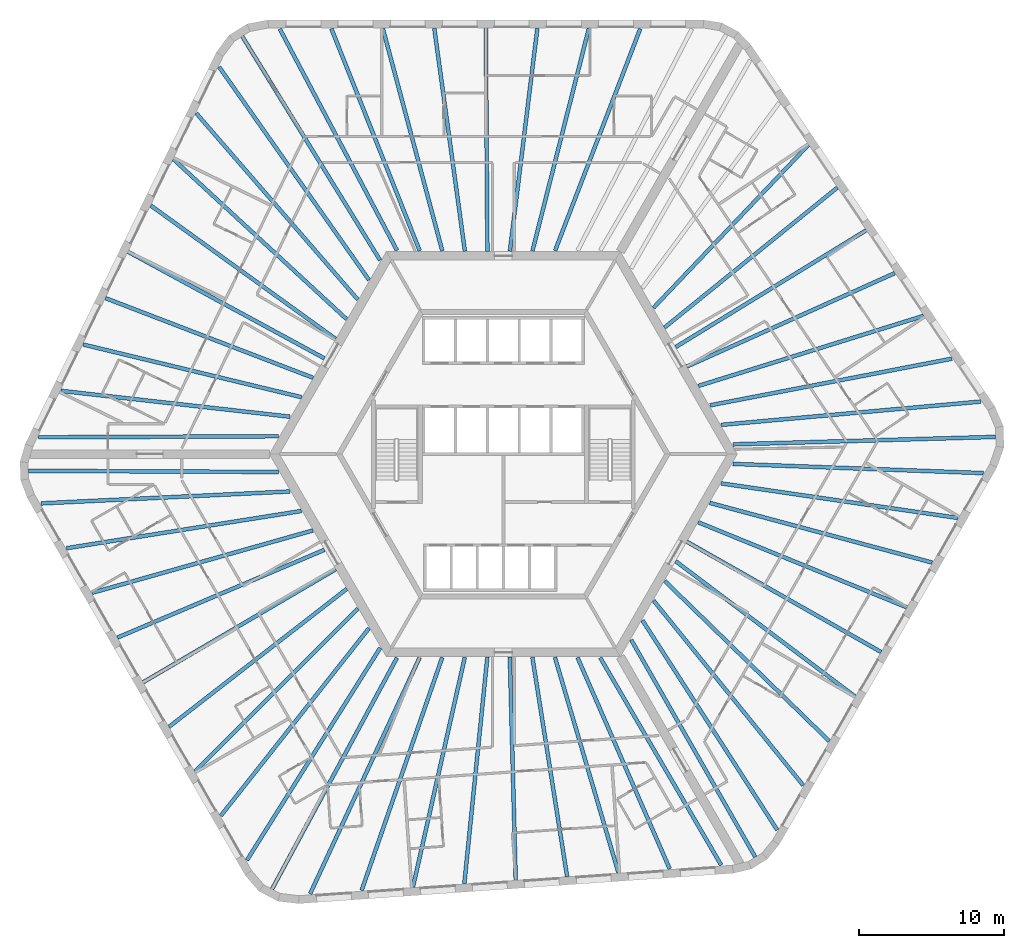
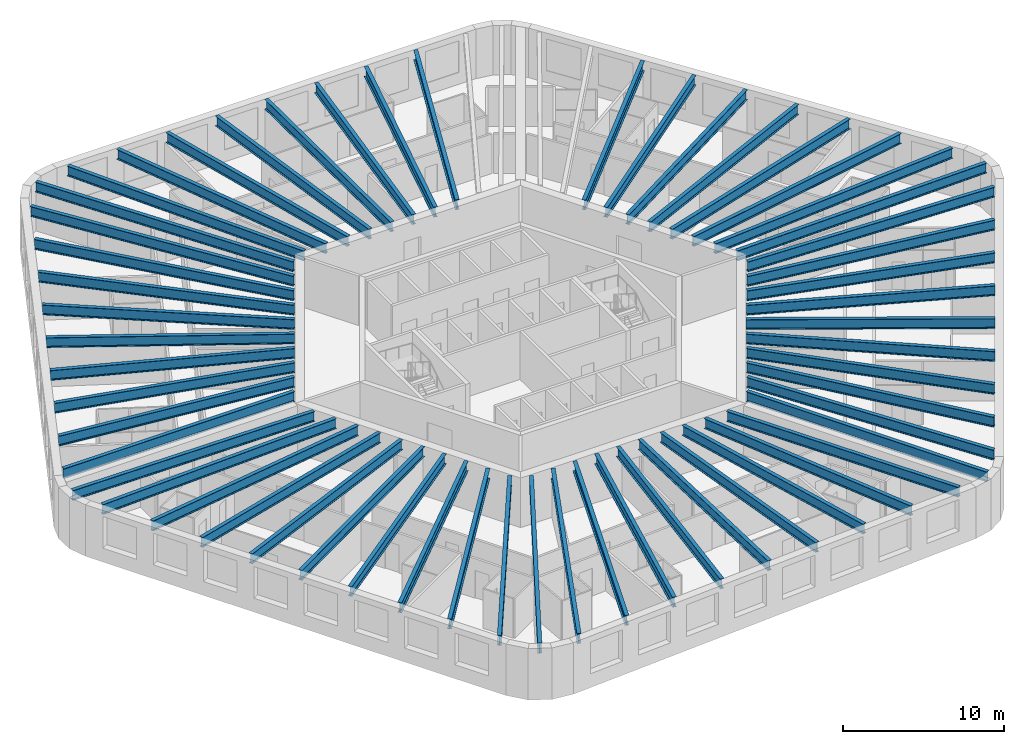
# One storey, part 1 of 12: 56 beams.
"""IFC4 building model written with IfcOpenShell, lengths in metres."""

from ifc_helpers import new_model, si_unit, direction, frame, origin, origin_2d, place, context, subcontext, project, spatial, i_section, extrude, material, material_profile, profile_set, type_object, element, save


model = new_model("IFC4")

# Units and contexts
model_context = context("Model", 3, precision=1e-05, world=origin(), true_north=direction((0.0, 1.0)))
body_context = subcontext(model_context, "Body", "Model", "MODEL_VIEW")
ifc_project = project(units=[si_unit("LENGTHUNIT", "METRE"), si_unit("AREAUNIT", "SQUARE_METRE"), si_unit("VOLUMEUNIT", "CUBIC_METRE"), si_unit("PLANEANGLEUNIT", "RADIAN"), si_unit("MASSUNIT", "GRAM", prefix="KILO")], contexts=[model_context])

# Site, building, storey
site_placement = place(None, origin())
site = spatial("IfcSite", under=ifc_project, at=site_placement, CompositionType="ELEMENT")
building_placement = place(site_placement, origin())
building = spatial("IfcBuilding", under=site, at=building_placement, Name="Tarnside Tower", CompositionType="ELEMENT")
storey_placement = place(building_placement, frame((0.0, 0.0, 127.199951171875)))
storey = spatial("IfcBuildingStorey", under=building, at=storey_placement, Name="L29", CompositionType="ELEMENT", Elevation=127.199951171875)

# Beams
ifc_material = material(Name="Steel S355", Category="steel")
ifc_material_profile_1 = material_profile(ifc_material, i_section(OverallWidth=0.26513671875, OverallDepth=0.75390625, WebThickness=0.0126953125, FlangeThickness=0.017578125, FilletRadius=0.0166015625, at=origin_2d()), Name="UB 762x267x147")
ifc_profile_set_1 = profile_set([ifc_material_profile_1], Name="Steel S355")
beam_type_1 = type_object("IfcBeamType", Name="Floor beam UB 762x267x147", PredefinedType="BEAM", material=ifc_profile_set_1)
beam_1_placement = place(storey_placement, frame((2.3525390625, 29.43017578125, 3.373046875), z_axis=(-0.122329629165, -0.992489527314, 0.0), x_axis=(0.992489527314, -0.122329629165, 0.0)))
element("IfcBeam", 1, at=beam_1_placement, inside=storey, type_object=beam_type_1, Name="Floor beam F1.04", PredefinedType="BEAM", context=body_context, shape_type="SweptSolid", body=[
    extrude(i_section(OverallWidth=0.26513671875, OverallDepth=0.75390625, WebThickness=0.0126953125, FlangeThickness=0.017578125, FilletRadius=0.0166015625, at=origin_2d()), origin(), (0.0, 0.0, 1.0), 15.527099609375),
])
beam_2_placement = place(storey_placement, frame((-1.208984375, 29.449951171875, 3.373046875), z_axis=(0.007000128723, -0.999975498799, 0.0), x_axis=(0.999975498799, 0.007000128723, 0.0)))
element("IfcBeam", 2, at=beam_2_placement, inside=storey, type_object=beam_type_1, Name="Floor beam F1.05", PredefinedType="BEAM", context=body_context, shape_type="SweptSolid", body=[
    extrude(i_section(OverallWidth=0.26513671875, OverallDepth=0.75390625, WebThickness=0.0126953125, FlangeThickness=0.017578125, FilletRadius=0.0166015625, at=origin_2d()), origin(), (0.0, 0.0, 1.0), 15.450439453125),
])
beam_3_placement = place(storey_placement, frame((-4.7705078125, 29.43017578125, 3.373046875), z_axis=(0.136000560933, -0.990708760144, 0.0), x_axis=(0.990708760144, 0.136000560933, 0.0)))
element("IfcBeam", 3, at=beam_3_placement, inside=storey, type_object=beam_type_1, Name="Floor beam F1.06", PredefinedType="BEAM", context=body_context, shape_type="SweptSolid", body=[
    extrude(i_section(OverallWidth=0.26513671875, OverallDepth=0.75390625, WebThickness=0.0126953125, FlangeThickness=0.017578125, FilletRadius=0.0166015625, at=origin_2d()), origin(), (0.0, 0.0, 1.0), 15.554931640625),
])
beam_4_placement = place(storey_placement, frame((-24.348876953125, 17.168212890625, 3.373046875), z_axis=(0.811027744825, -0.585007689799, 0.0), x_axis=(0.585007689799, 0.811027744825, 0.0)))
element("IfcBeam", 4, at=beam_4_placement, inside=storey, type_object=beam_type_1, Name="Floor beam F2.04", PredefinedType="BEAM", context=body_context, shape_type="SweptSolid", body=[
    extrude(i_section(OverallWidth=0.26513671875, OverallDepth=0.75390625, WebThickness=0.0126953125, FlangeThickness=0.017578125, FilletRadius=0.0166015625, at=origin_2d()), origin(), (0.0, 0.0, 1.0), 15.731689453125),
])
beam_5_placement = place(storey_placement, frame((-25.92626953125, 13.978271484375, 3.373046875), z_axis=(0.878894567679, -0.477016078245, 0.0), x_axis=(0.477016078245, 0.878894567679, 0.0)))
element("IfcBeam", 5, at=beam_5_placement, inside=storey, type_object=beam_type_1, Name="Floor beam F2.05", PredefinedType="BEAM", context=body_context, shape_type="SweptSolid", body=[
    extrude(i_section(OverallWidth=0.26513671875, OverallDepth=0.75390625, WebThickness=0.0126953125, FlangeThickness=0.017578125, FilletRadius=0.0166015625, at=origin_2d()), origin(), (0.0, 0.0, 1.0), 15.427490234375),
])
beam_6_placement = place(storey_placement, frame((-27.487548828125, 10.77734375, 3.373046875), z_axis=(0.933617702452, -0.358270827264, 0.0), x_axis=(0.358270827264, 0.933617702452, 0.0)))
element("IfcBeam", 6, at=beam_6_placement, inside=storey, type_object=beam_type_1, Name="Floor beam F2.06", PredefinedType="BEAM", context=body_context, shape_type="SweptSolid", body=[
    extrude(i_section(OverallWidth=0.26513671875, OverallDepth=0.75390625, WebThickness=0.0126953125, FlangeThickness=0.017578125, FilletRadius=0.0166015625, at=origin_2d()), origin(), (0.0, 0.0, 1.0), 15.363037109375),
])
beam_7_placement = place(storey_placement, frame((-29.029296875, 7.572509765625, 3.373046875), z_axis=(0.972101750991, -0.234559556873, 0.0), x_axis=(0.234559556873, 0.972101750991, 0.0)))
element("IfcBeam", 7, at=beam_7_placement, inside=storey, type_object=beam_type_1, Name="Floor beam F2.07", PredefinedType="BEAM", context=body_context, shape_type="SweptSolid", body=[
    extrude(i_section(OverallWidth=0.26513671875, OverallDepth=0.75390625, WebThickness=0.0126953125, FlangeThickness=0.017578125, FilletRadius=0.0166015625, at=origin_2d()), origin(), (0.0, 0.0, 1.0), 15.522216796875),
])
beam_8_placement = place(storey_placement, frame((-26.66357421875, -12.677734375, 3.373046875), z_axis=(0.920684021494, 0.390308765679, 0.0), x_axis=(-0.390308765679, 0.920684021494, 0.0)))
element("IfcBeam", 8, at=beam_8_placement, inside=storey, type_object=beam_type_1, Name="Floor beam F3.04", PredefinedType="BEAM", context=body_context, shape_type="SweptSolid", body=[
    extrude(i_section(OverallWidth=0.26513671875, OverallDepth=0.75390625, WebThickness=0.0126953125, FlangeThickness=0.017578125, FilletRadius=0.0166015625, at=origin_2d()), origin(), (0.0, 0.0, 1.0), 15.52685546875),
])
beam_9_placement = place(storey_placement, frame((-24.89990234375, -15.772216796875, 3.373046875), z_axis=(0.862497502004, 0.506061319443, 0.0), x_axis=(-0.506061319443, 0.862497502004, 0.0)))
element("IfcBeam", 9, at=beam_9_placement, inside=storey, type_object=beam_type_1, Name="Floor beam F3.05", PredefinedType="BEAM", context=body_context, shape_type="SweptSolid", body=[
    extrude(i_section(OverallWidth=0.26513671875, OverallDepth=0.75390625, WebThickness=0.0126953125, FlangeThickness=0.017578125, FilletRadius=0.0166015625, at=origin_2d()), origin(), (0.0, 0.0, 1.0), 15.450439453125),
])
beam_10_placement = place(storey_placement, frame((-23.10205078125, -18.846435546875, 3.373046875), z_axis=(0.789983963813, 0.613127504617, 0.0), x_axis=(-0.613127504617, 0.789983963813, 0.0)))
element("IfcBeam", 10, at=beam_10_placement, inside=storey, type_object=beam_type_1, Name="Floor beam F3.06", PredefinedType="BEAM", context=body_context, shape_type="SweptSolid", body=[
    extrude(i_section(OverallWidth=0.26513671875, OverallDepth=0.75390625, WebThickness=0.0126953125, FlangeThickness=0.017578125, FilletRadius=0.0166015625, at=origin_2d()), origin(), (0.0, 0.0, 1.0), 15.554931640625),
])
beam_11_placement = place(storey_placement, frame((-2.693603515625, -29.6708984375, 3.373046875), z_axis=(0.101123115756, 0.994873919379, 0.0), x_axis=(-0.994873919379, 0.101123115756, 0.0)))
element("IfcBeam", 11, at=beam_11_placement, inside=storey, type_object=beam_type_1, Name="Floor beam F4.04", PredefinedType="BEAM", context=body_context, shape_type="SweptSolid", body=[
    extrude(i_section(OverallWidth=0.26513671875, OverallDepth=0.75390625, WebThickness=0.0126953125, FlangeThickness=0.017578125, FilletRadius=0.0166015625, at=origin_2d()), origin(), (0.0, 0.0, 1.0), 15.7314453125),
])
beam_12_placement = place(storey_placement, frame((0.857666015625, -29.44189453125, 3.373046875), z_axis=(-0.026333316788, 0.999653218085, 0.0), x_axis=(-0.999653218085, -0.026333316788, 0.0)))
element("IfcBeam", 12, at=beam_12_placement, inside=storey, type_object=beam_type_1, Name="Floor beam F4.05", PredefinedType="BEAM", context=body_context, shape_type="SweptSolid", body=[
    extrude(i_section(OverallWidth=0.26513671875, OverallDepth=0.75390625, WebThickness=0.0126953125, FlangeThickness=0.017578125, FilletRadius=0.0166015625, at=origin_2d()), origin(), (0.0, 0.0, 1.0), 15.42724609375),
])
beam_13_placement = place(storey_placement, frame((4.41015625, -29.193603515625, 3.373046875), z_axis=(-0.156513375907, 0.98767583911, 0.0), x_axis=(-0.98767583911, -0.156513375907, 0.0)))
element("IfcBeam", 13, at=beam_13_placement, inside=storey, type_object=beam_type_1, Name="Floor beam F4.06", PredefinedType="BEAM", context=body_context, shape_type="SweptSolid", body=[
    extrude(i_section(OverallWidth=0.26513671875, OverallDepth=0.75390625, WebThickness=0.0126953125, FlangeThickness=0.017578125, FilletRadius=0.0166015625, at=origin_2d()), origin(), (0.0, 0.0, 1.0), 15.36328125),
])
beam_14_placement = place(storey_placement, frame((7.956787109375, -28.926513671875, 3.373046875), z_axis=(-0.282920694328, 0.959143305623, 0.0), x_axis=(-0.959143305623, -0.282920694328, 0.0)))
element("IfcBeam", 14, at=beam_14_placement, inside=storey, type_object=beam_type_1, Name="Floor beam F4.07", PredefinedType="BEAM", context=body_context, shape_type="SweptSolid", body=[
    extrude(i_section(OverallWidth=0.26513671875, OverallDepth=0.75390625, WebThickness=0.0126953125, FlangeThickness=0.017578125, FilletRadius=0.0166015625, at=origin_2d()), origin(), (0.0, 0.0, 1.0), 15.5224609375),
])
beam_15_placement = place(storey_placement, frame((24.31103515625, -16.75244140625, 3.373046875), z_axis=(-0.798361152727, 0.602178935049, 0.0), x_axis=(-0.602178935049, -0.798361152727, 0.0)))
element("IfcBeam", 15, at=beam_15_placement, inside=storey, type_object=beam_type_1, Name="Floor beam F5.04", PredefinedType="BEAM", context=body_context, shape_type="SweptSolid", body=[
    extrude(i_section(OverallWidth=0.26513671875, OverallDepth=0.75390625, WebThickness=0.0126953125, FlangeThickness=0.017578125, FilletRadius=0.0166015625, at=origin_2d()), origin(), (0.0, 0.0, 1.0), 15.527099609375),
])
beam_16_placement = place(storey_placement, frame((26.10888671875, -13.677978515625, 3.373046875), z_axis=(-0.869502520992, 0.493928502911, 0.0), x_axis=(-0.493928502911, -0.869502520992, 0.0)))
element("IfcBeam", 16, at=beam_16_placement, inside=storey, type_object=beam_type_1, Name="Floor beam F5.05", PredefinedType="BEAM", context=body_context, shape_type="SweptSolid", body=[
    extrude(i_section(OverallWidth=0.26513671875, OverallDepth=0.75390625, WebThickness=0.0126953125, FlangeThickness=0.017578125, FilletRadius=0.0166015625, at=origin_2d()), origin(), (0.0, 0.0, 1.0), 15.4501953125),
])
beam_17_placement = place(storey_placement, frame((27.87255859375, -10.58349609375, 3.373046875), z_axis=(-0.925981621163, 0.377568586177, 0.0), x_axis=(-0.377568586177, -0.925981621163, 0.0)))
element("IfcBeam", 17, at=beam_17_placement, inside=storey, type_object=beam_type_1, Name="Floor beam F5.06", PredefinedType="BEAM", context=body_context, shape_type="SweptSolid", body=[
    extrude(i_section(OverallWidth=0.26513671875, OverallDepth=0.75390625, WebThickness=0.0126953125, FlangeThickness=0.017578125, FilletRadius=0.0166015625, at=origin_2d()), origin(), (0.0, 0.0, 1.0), 15.554931640625),
])
beam_18_placement = place(storey_placement, frame((27.04248046875, 12.502685546875, 3.373046875), z_axis=(-0.912146413919, -0.409864513681, 0.0), x_axis=(0.409864513681, -0.912146413919, 0.0)))
element("IfcBeam", 18, at=beam_18_placement, inside=storey, type_object=beam_type_1, Name="Floor beam F6.04", PredefinedType="BEAM", context=body_context, shape_type="SweptSolid", body=[
    extrude(i_section(OverallWidth=0.26513671875, OverallDepth=0.75390625, WebThickness=0.0126953125, FlangeThickness=0.017578125, FilletRadius=0.0166015625, at=origin_2d()), origin(), (0.0, 0.0, 1.0), 15.7314453125),
])
beam_19_placement = place(storey_placement, frame((25.068603515625, 15.463623046875, 3.373046875), z_axis=(-0.852558490017, -0.522631821744, 0.0), x_axis=(0.522631821744, -0.852558490017, 0.0)))
element("IfcBeam", 19, at=beam_19_placement, inside=storey, type_object=beam_type_1, Name="Floor beam F6.05", PredefinedType="BEAM", context=body_context, shape_type="SweptSolid", body=[
    extrude(i_section(OverallWidth=0.26513671875, OverallDepth=0.75390625, WebThickness=0.0126953125, FlangeThickness=0.017578125, FilletRadius=0.0166015625, at=origin_2d()), origin(), (0.0, 0.0, 1.0), 15.42724609375),
])
beam_20_placement = place(storey_placement, frame((23.0771484375, 18.416259765625, 3.373046875), z_axis=(-0.777079423039, -0.629402550272, 0.0), x_axis=(0.629402550272, -0.777079423039, 0.0)))
element("IfcBeam", 20, at=beam_20_placement, inside=storey, type_object=beam_type_1, Name="Floor beam F6.06", PredefinedType="BEAM", context=body_context, shape_type="SweptSolid", body=[
    extrude(i_section(OverallWidth=0.26513671875, OverallDepth=0.75390625, WebThickness=0.0126953125, FlangeThickness=0.017578125, FilletRadius=0.0166015625, at=origin_2d()), origin(), (0.0, 0.0, 1.0), 15.36328125),
])
beam_21_placement = place(storey_placement, frame((21.072509765625, 21.35400390625, 3.373046875), z_axis=(-0.689174694318, -0.724595225427, 0.0), x_axis=(0.724595225427, -0.689174694318, 0.0)))
element("IfcBeam", 21, at=beam_21_placement, inside=storey, type_object=beam_type_1, Name="Floor beam F6.07", PredefinedType="BEAM", context=body_context, shape_type="SweptSolid", body=[
    extrude(i_section(OverallWidth=0.26513671875, OverallDepth=0.75390625, WebThickness=0.0126953125, FlangeThickness=0.017578125, FilletRadius=0.0166015625, at=origin_2d()), origin(), (0.0, 0.0, 1.0), 15.522216796875),
])
ifc_material_profile_2 = material_profile(ifc_material, i_section(OverallWidth=0.2666015625, OverallDepth=0.76220703125, WebThickness=0.014404296875, FlangeThickness=0.021484375, FilletRadius=0.0166015625, at=origin_2d()), Name="UB 762x267x173")
ifc_profile_set_2 = profile_set([ifc_material_profile_2], Name="Steel S355")
beam_type_2 = type_object("IfcBeamType", Name="Floor beam UB 762x267x173", PredefinedType="BEAM", material=ifc_profile_set_2)
beam_22_placement = place(storey_placement, frame((9.4619140625, 29.39404296875, 3.368896484375), z_axis=(-0.358299847269, -0.933606565662, 0.0), x_axis=(0.933606565662, -0.358299847269, 0.0)))
element("IfcBeam", 22, at=beam_22_placement, inside=storey, type_object=beam_type_2, Name="Floor beam F1.02", PredefinedType="BEAM", context=body_context, shape_type="SweptSolid", body=[
    extrude(i_section(OverallWidth=0.2666015625, OverallDepth=0.76220703125, WebThickness=0.014404296875, FlangeThickness=0.021484375, FilletRadius=0.0166015625, at=origin_2d()), origin(), (0.0, 0.0, 1.0), 16.428955078125),
])
beam_23_placement = place(storey_placement, frame((5.909423828125, 29.4111328125, 3.368896484375), z_axis=(-0.245747281389, -0.969333933013, 0.0), x_axis=(0.969333933013, -0.245747281389, 0.0)))
element("IfcBeam", 23, at=beam_23_placement, inside=storey, type_object=beam_type_2, Name="Floor beam F1.03", PredefinedType="BEAM", context=body_context, shape_type="SweptSolid", body=[
    extrude(i_section(OverallWidth=0.2666015625, OverallDepth=0.76220703125, WebThickness=0.014404296875, FlangeThickness=0.021484375, FilletRadius=0.0166015625, at=origin_2d()), origin(), (0.0, 0.0, 1.0), 15.858642578125),
])
beam_24_placement = place(storey_placement, frame((-8.3271484375, 29.411376953125, 3.368896484375), z_axis=(0.258447478572, -0.966025310652, 0.0), x_axis=(0.966025310652, 0.258447478572, 0.0)))
element("IfcBeam", 24, at=beam_24_placement, inside=storey, type_object=beam_type_2, Name="Floor beam F1.07", PredefinedType="BEAM", context=body_context, shape_type="SweptSolid", body=[
    extrude(i_section(OverallWidth=0.2666015625, OverallDepth=0.76220703125, WebThickness=0.014404296875, FlangeThickness=0.021484375, FilletRadius=0.0166015625, at=origin_2d()), origin(), (0.0, 0.0, 1.0), 15.91357421875),
])
beam_25_placement = place(storey_placement, frame((-11.87939453125, 29.394287109375, 3.368896484375), z_axis=(0.369638204477, -0.929175762593, 0.0), x_axis=(0.929175762593, 0.369638204477, 0.0)))
element("IfcBeam", 25, at=beam_25_placement, inside=storey, type_object=beam_type_2, Name="Floor beam F1.08", PredefinedType="BEAM", context=body_context, shape_type="SweptSolid", body=[
    extrude(i_section(OverallWidth=0.2666015625, OverallDepth=0.76220703125, WebThickness=0.014404296875, FlangeThickness=0.021484375, FilletRadius=0.0166015625, at=origin_2d()), origin(), (0.0, 0.0, 1.0), 16.507568359375),
])
beam_26_placement = place(storey_placement, frame((-15.44580078125, 29.37939453125, 3.368896484375), z_axis=(0.467741993634, -0.883865050441, 0.0), x_axis=(0.883865050441, 0.467741993634, 0.0)))
element("IfcBeam", 26, at=beam_26_placement, inside=storey, type_object=beam_type_2, Name="Floor beam F1.09", PredefinedType="BEAM", context=body_context, shape_type="SweptSolid", body=[
    extrude(i_section(OverallWidth=0.2666015625, OverallDepth=0.76220703125, WebThickness=0.014404296875, FlangeThickness=0.021484375, FilletRadius=0.0166015625, at=origin_2d()), origin(), (0.0, 0.0, 1.0), 17.320068359375),
])
beam_27_placement = place(storey_placement, frame((-18.042236328125, 28.8701171875, 3.368896484375), z_axis=(0.524382977035, -0.851482526771, 0.0), x_axis=(0.851482526771, 0.524382977035, 0.0)))
element("IfcBeam", 27, at=beam_27_placement, inside=storey, type_object=beam_type_2, Name="Floor beam C1", PredefinedType="BEAM", context=body_context, shape_type="SweptSolid", body=[
    extrude(i_section(OverallWidth=0.2666015625, OverallDepth=0.76220703125, WebThickness=0.014404296875, FlangeThickness=0.021484375, FilletRadius=0.0166015625, at=origin_2d()), origin(), (0.0, 0.0, 1.0), 18.1728515625),
])
beam_28_placement = place(storey_placement, frame((-19.638671875, 26.75537109375, 3.368896484375), z_axis=(0.575411427849, -0.817864101609, 0.0), x_axis=(0.817864101609, 0.575411427849, 0.0)))
element("IfcBeam", 28, at=beam_28_placement, inside=storey, type_object=beam_type_2, Name="Floor beam F2.01", PredefinedType="BEAM", context=body_context, shape_type="SweptSolid", body=[
    extrude(i_section(OverallWidth=0.2666015625, OverallDepth=0.76220703125, WebThickness=0.014404296875, FlangeThickness=0.021484375, FilletRadius=0.0166015625, at=origin_2d()), origin(), (0.0, 0.0, 1.0), 18.00048828125),
])
beam_29_placement = place(storey_placement, frame((-21.21630859375, 23.554931640625, 3.368896484375), z_axis=(0.654980748073, -0.755645564834, 0.0), x_axis=(0.755645564834, 0.654980748073, 0.0)))
element("IfcBeam", 29, at=beam_29_placement, inside=storey, type_object=beam_type_2, Name="Floor beam F2.02", PredefinedType="BEAM", context=body_context, shape_type="SweptSolid", body=[
    extrude(i_section(OverallWidth=0.2666015625, OverallDepth=0.76220703125, WebThickness=0.014404296875, FlangeThickness=0.021484375, FilletRadius=0.0166015625, at=origin_2d()), origin(), (0.0, 0.0, 1.0), 17.0302734375),
])
beam_30_placement = place(storey_placement, frame((-22.7890625, 20.368408203125, 3.368896484375), z_axis=(0.734715474517, -0.678375391288, 0.0), x_axis=(0.678375391288, 0.734715474517, 0.0)))
element("IfcBeam", 30, at=beam_30_placement, inside=storey, type_object=beam_type_2, Name="Floor beam F2.03", PredefinedType="BEAM", context=body_context, shape_type="SweptSolid", body=[
    extrude(i_section(OverallWidth=0.2666015625, OverallDepth=0.76220703125, WebThickness=0.014404296875, FlangeThickness=0.021484375, FilletRadius=0.0166015625, at=origin_2d()), origin(), (0.0, 0.0, 1.0), 16.2802734375),
])
beam_31_placement = place(storey_placement, frame((-30.570556640625, 4.372802734375, 3.368896484375), z_axis=(0.993687302776, -0.112185312326, 0.0), x_axis=(0.112185312326, 0.993687302776, 0.0)))
element("IfcBeam", 31, at=beam_31_placement, inside=storey, type_object=beam_type_2, Name="Floor beam F2.08", PredefinedType="BEAM", context=body_context, shape_type="SweptSolid", body=[
    extrude(i_section(OverallWidth=0.2666015625, OverallDepth=0.76220703125, WebThickness=0.014404296875, FlangeThickness=0.021484375, FilletRadius=0.0166015625, at=origin_2d()), origin(), (0.0, 0.0, 1.0), 15.934326171875),
])
beam_32_placement = place(storey_placement, frame((-32.119384765625, 1.162109375, 3.368896484375), z_axis=(0.999990508787, 0.004356872304, 0.0), x_axis=(-0.004356872304, 0.999990508787, 0.0)))
element("IfcBeam", 32, at=beam_32_placement, inside=storey, type_object=beam_type_2, Name="Floor beam F2.09", PredefinedType="BEAM", context=body_context, shape_type="SweptSolid", body=[
    extrude(i_section(OverallWidth=0.2666015625, OverallDepth=0.76220703125, WebThickness=0.014404296875, FlangeThickness=0.021484375, FilletRadius=0.0166015625, at=origin_2d()), origin(), (0.0, 0.0, 1.0), 16.586669921875),
])
beam_33_placement = place(storey_placement, frame((-32.80712890625, -1.1572265625, 3.368896484375), z_axis=(0.999990027056, -0.004466070929, 0.0), x_axis=(0.004466070929, 0.999990027056, 0.0)))
element("IfcBeam", 33, at=beam_33_placement, inside=storey, type_object=beam_type_2, Name="Floor beam C2", PredefinedType="BEAM", context=body_context, shape_type="SweptSolid", body=[
    extrude(i_section(OverallWidth=0.2666015625, OverallDepth=0.76220703125, WebThickness=0.014404296875, FlangeThickness=0.021484375, FilletRadius=0.0166015625, at=origin_2d()), origin(), (0.0, 0.0, 1.0), 17.2744140625),
])
beam_34_placement = place(storey_placement, frame((-31.95703125, -3.406494140625, 3.368896484375), z_axis=(0.998853818522, 0.047864905982, 0.0), x_axis=(-0.047864905982, 0.998853818522, 0.0)))
element("IfcBeam", 34, at=beam_34_placement, inside=storey, type_object=beam_type_2, Name="Floor beam F3.01", PredefinedType="BEAM", context=body_context, shape_type="SweptSolid", body=[
    extrude(i_section(OverallWidth=0.2666015625, OverallDepth=0.76220703125, WebThickness=0.014404296875, FlangeThickness=0.021484375, FilletRadius=0.0166015625, at=origin_2d()), origin(), (0.0, 0.0, 1.0), 17.2197265625),
])
beam_35_placement = place(storey_placement, frame((-30.18701171875, -6.502685546875, 3.368896484375), z_axis=(0.987678477078, 0.156496728136, 0.0), x_axis=(-0.156496728136, 0.987678477078, 0.0)))
element("IfcBeam", 35, at=beam_35_placement, inside=storey, type_object=beam_type_2, Name="Floor beam F3.02", PredefinedType="BEAM", context=body_context, shape_type="SweptSolid", body=[
    extrude(i_section(OverallWidth=0.2666015625, OverallDepth=0.76220703125, WebThickness=0.014404296875, FlangeThickness=0.021484375, FilletRadius=0.0166015625, at=origin_2d()), origin(), (0.0, 0.0, 1.0), 16.4287109375),
])
beam_36_placement = place(storey_placement, frame((-28.425537109375, -9.587890625, 3.368896484375), z_axis=(0.962342240503, 0.271840784547, 0.0), x_axis=(-0.271840784547, 0.962342240503, 0.0)))
element("IfcBeam", 36, at=beam_36_placement, inside=storey, type_object=beam_type_2, Name="Floor beam F3.03", PredefinedType="BEAM", context=body_context, shape_type="SweptSolid", body=[
    extrude(i_section(OverallWidth=0.2666015625, OverallDepth=0.76220703125, WebThickness=0.014404296875, FlangeThickness=0.021484375, FilletRadius=0.0166015625, at=origin_2d()), origin(), (0.0, 0.0, 1.0), 15.858642578125),
])
beam_37_placement = place(storey_placement, frame((-21.307373046875, -21.917236328125, 3.368896484375), z_axis=(0.707367544857, 0.706845921318, 0.0), x_axis=(-0.706845921318, 0.707367544857, 0.0)))
element("IfcBeam", 37, at=beam_37_placement, inside=storey, type_object=beam_type_2, Name="Floor beam F3.07", PredefinedType="BEAM", context=body_context, shape_type="SweptSolid", body=[
    extrude(i_section(OverallWidth=0.2666015625, OverallDepth=0.76220703125, WebThickness=0.014404296875, FlangeThickness=0.021484375, FilletRadius=0.0166015625, at=origin_2d()), origin(), (0.0, 0.0, 1.0), 15.913330078125),
])
beam_38_placement = place(storey_placement, frame((-19.516357421875, -24.985107421875, 3.368896484375), z_axis=(0.619872995007, 0.784702153725, 0.0), x_axis=(-0.784702153725, 0.619872995007, 0.0)))
element("IfcBeam", 38, at=beam_38_placement, inside=storey, type_object=beam_type_2, Name="Floor beam F3.08", PredefinedType="BEAM", context=body_context, shape_type="SweptSolid", body=[
    extrude(i_section(OverallWidth=0.2666015625, OverallDepth=0.76220703125, WebThickness=0.014404296875, FlangeThickness=0.021484375, FilletRadius=0.0166015625, at=origin_2d()), origin(), (0.0, 0.0, 1.0), 16.507568359375),
])
beam_39_placement = place(storey_placement, frame((-17.72021484375, -28.066162109375, 3.368896484375), z_axis=(0.531583085704, 0.847006152866, 0.0), x_axis=(-0.847006152866, 0.531583085704, 0.0)))
element("IfcBeam", 39, at=beam_39_placement, inside=storey, type_object=beam_type_2, Name="Floor beam F3.09", PredefinedType="BEAM", context=body_context, shape_type="SweptSolid", body=[
    extrude(i_section(OverallWidth=0.2666015625, OverallDepth=0.76220703125, WebThickness=0.014404296875, FlangeThickness=0.021484375, FilletRadius=0.0166015625, at=origin_2d()), origin(), (0.0, 0.0, 1.0), 17.320068359375),
])
beam_40_placement = place(storey_placement, frame((-15.981201171875, -30.060302734375, 3.368896484375), z_axis=(0.475208200571, 0.879873380726, 0.0), x_axis=(-0.879873380726, 0.475208200571, 0.0)))
element("IfcBeam", 40, at=beam_40_placement, inside=storey, type_object=beam_type_2, Name="Floor beam C3", PredefinedType="BEAM", context=body_context, shape_type="SweptSolid", body=[
    extrude(i_section(OverallWidth=0.2666015625, OverallDepth=0.76220703125, WebThickness=0.014404296875, FlangeThickness=0.021484375, FilletRadius=0.0166015625, at=origin_2d()), origin(), (0.0, 0.0, 1.0), 18.173095703125),
])
beam_41_placement = place(storey_placement, frame((-13.3515625, -30.38525390625, 3.368896484375), z_axis=(0.42059199668, 0.907249895193, 0.0), x_axis=(-0.907249895193, 0.42059199668, 0.0)))
element("IfcBeam", 41, at=beam_41_placement, inside=storey, type_object=beam_type_2, Name="Floor beam F4.01", PredefinedType="BEAM", context=body_context, shape_type="SweptSolid", body=[
    extrude(i_section(OverallWidth=0.2666015625, OverallDepth=0.76220703125, WebThickness=0.014404296875, FlangeThickness=0.021484375, FilletRadius=0.0166015625, at=origin_2d()), origin(), (0.0, 0.0, 1.0), 18.000244140625),
])
beam_42_placement = place(storey_placement, frame((-9.791015625, -30.151123046875, 3.368896484375), z_axis=(0.326912128872, 0.945054739153, 0.0), x_axis=(-0.945054739153, 0.326912128872, 0.0)))
element("IfcBeam", 42, at=beam_42_placement, inside=storey, type_object=beam_type_2, Name="Floor beam F4.02", PredefinedType="BEAM", context=body_context, shape_type="SweptSolid", body=[
    extrude(i_section(OverallWidth=0.2666015625, OverallDepth=0.76220703125, WebThickness=0.014404296875, FlangeThickness=0.021484375, FilletRadius=0.0166015625, at=origin_2d()), origin(), (0.0, 0.0, 1.0), 17.0302734375),
])
beam_43_placement = place(storey_placement, frame((-6.2451171875, -29.920166015625, 3.368896484375), z_axis=(0.220139818673, 0.975468328668, 0.0), x_axis=(-0.975468328668, 0.220139818673, 0.0)))
element("IfcBeam", 43, at=beam_43_placement, inside=storey, type_object=beam_type_2, Name="Floor beam F4.03", PredefinedType="BEAM", context=body_context, shape_type="SweptSolid", body=[
    extrude(i_section(OverallWidth=0.2666015625, OverallDepth=0.76220703125, WebThickness=0.014404296875, FlangeThickness=0.021484375, FilletRadius=0.0166015625, at=origin_2d()), origin(), (0.0, 0.0, 1.0), 16.280517578125),
])
beam_44_placement = place(storey_placement, frame((11.498291015625, -28.6611328125, 3.368896484375), z_axis=(-0.399695682658, 0.916647893831, 0.0), x_axis=(-0.916647893831, -0.399695682658, 0.0)))
element("IfcBeam", 44, at=beam_44_placement, inside=storey, type_object=beam_type_2, Name="Floor beam F4.08", PredefinedType="BEAM", context=body_context, shape_type="SweptSolid", body=[
    extrude(i_section(OverallWidth=0.2666015625, OverallDepth=0.76220703125, WebThickness=0.014404296875, FlangeThickness=0.021484375, FilletRadius=0.0166015625, at=origin_2d()), origin(), (0.0, 0.0, 1.0), 15.934326171875),
])
beam_45_placement = place(storey_placement, frame((15.05322265625, -28.3974609375, 3.368896484375), z_axis=(-0.503758455062, 0.86384455717, 0.0), x_axis=(-0.86384455717, -0.503758455062, 0.0)))
element("IfcBeam", 45, at=beam_45_placement, inside=storey, type_object=beam_type_2, Name="Floor beam F4.09", PredefinedType="BEAM", context=body_context, shape_type="SweptSolid", body=[
    extrude(i_section(OverallWidth=0.2666015625, OverallDepth=0.76220703125, WebThickness=0.014404296875, FlangeThickness=0.021484375, FilletRadius=0.0166015625, at=origin_2d()), origin(), (0.0, 0.0, 1.0), 16.586669921875),
])
beam_46_placement = place(storey_placement, frame((17.40576171875, -27.833251953125, 3.368896484375), z_axis=(-0.496126762138, 0.868250099851, 0.0), x_axis=(-0.868250099851, -0.496126762138, 0.0)))
element("IfcBeam", 46, at=beam_46_placement, inside=storey, type_object=beam_type_2, Name="Floor beam C4", PredefinedType="BEAM", context=body_context, shape_type="SweptSolid", body=[
    extrude(i_section(OverallWidth=0.2666015625, OverallDepth=0.76220703125, WebThickness=0.014404296875, FlangeThickness=0.021484375, FilletRadius=0.0166015625, at=origin_2d()), origin(), (0.0, 0.0, 1.0), 17.2744140625),
])
beam_47_placement = place(storey_placement, frame((18.9287109375, -25.972412109375, 3.368896484375), z_axis=(-0.540872954463, 0.841104302171, 0.0), x_axis=(-0.841104302171, -0.540872954463, 0.0)))
element("IfcBeam", 47, at=beam_47_placement, inside=storey, type_object=beam_type_2, Name="Floor beam F5.01", PredefinedType="BEAM", context=body_context, shape_type="SweptSolid", body=[
    extrude(i_section(OverallWidth=0.2666015625, OverallDepth=0.76220703125, WebThickness=0.014404296875, FlangeThickness=0.021484375, FilletRadius=0.0166015625, at=origin_2d()), origin(), (0.0, 0.0, 1.0), 17.2197265625),
])
beam_48_placement = place(storey_placement, frame((20.72509765625, -22.89111328125, 3.368896484375), z_axis=(-0.62939015525, 0.777089462336, 0.0), x_axis=(-0.777089462336, -0.62939015525, 0.0)))
element("IfcBeam", 48, at=beam_48_placement, inside=storey, type_object=beam_type_2, Name="Floor beam F5.02", PredefinedType="BEAM", context=body_context, shape_type="SweptSolid", body=[
    extrude(i_section(OverallWidth=0.2666015625, OverallDepth=0.76220703125, WebThickness=0.014404296875, FlangeThickness=0.021484375, FilletRadius=0.0166015625, at=origin_2d()), origin(), (0.0, 0.0, 1.0), 16.4287109375),
])
beam_49_placement = place(storey_placement, frame((22.51611328125, -19.8232421875, 3.368896484375), z_axis=(-0.716594696052, 0.697489814686, 0.0), x_axis=(-0.697489814686, -0.716594696052, 0.0)))
element("IfcBeam", 49, at=beam_49_placement, inside=storey, type_object=beam_type_2, Name="Floor beam F5.03", PredefinedType="BEAM", context=body_context, shape_type="SweptSolid", body=[
    extrude(i_section(OverallWidth=0.2666015625, OverallDepth=0.76220703125, WebThickness=0.014404296875, FlangeThickness=0.021484375, FilletRadius=0.0166015625, at=origin_2d()), origin(), (0.0, 0.0, 1.0), 15.858642578125),
])
beam_50_placement = place(storey_placement, frame((29.634521484375, -7.494140625, 3.368896484375), z_axis=(-0.965827851395, 0.259184415946, 0.0), x_axis=(-0.259184415946, -0.965827851395, 0.0)))
element("IfcBeam", 50, at=beam_50_placement, inside=storey, type_object=beam_type_2, Name="Floor beam F5.07", PredefinedType="BEAM", context=body_context, shape_type="SweptSolid", body=[
    extrude(i_section(OverallWidth=0.2666015625, OverallDepth=0.76220703125, WebThickness=0.014404296875, FlangeThickness=0.021484375, FilletRadius=0.0166015625, at=origin_2d()), origin(), (0.0, 0.0, 1.0), 15.913330078125),
])
beam_51_placement = place(storey_placement, frame((31.39599609375, -4.4091796875, 3.368896484375), z_axis=(-0.989507887412, 0.144478859177, 0.0), x_axis=(-0.144478859177, -0.989507887412, 0.0)))
element("IfcBeam", 51, at=beam_51_placement, inside=storey, type_object=beam_type_2, Name="Floor beam F5.08", PredefinedType="BEAM", context=body_context, shape_type="SweptSolid", body=[
    extrude(i_section(OverallWidth=0.2666015625, OverallDepth=0.76220703125, WebThickness=0.014404296875, FlangeThickness=0.021484375, FilletRadius=0.0166015625, at=origin_2d()), origin(), (0.0, 0.0, 1.0), 16.507568359375),
])
beam_52_placement = place(storey_placement, frame((33.166259765625, -1.31298828125, 3.368896484375), z_axis=(-0.999320941149, 0.036846391708, 0.0), x_axis=(-0.036846391708, -0.999320941149, 0.0)))
element("IfcBeam", 52, at=beam_52_placement, inside=storey, type_object=beam_type_2, Name="Floor beam F5.09", PredefinedType="BEAM", context=body_context, shape_type="SweptSolid", body=[
    extrude(i_section(OverallWidth=0.2666015625, OverallDepth=0.76220703125, WebThickness=0.014404296875, FlangeThickness=0.021484375, FilletRadius=0.0166015625, at=origin_2d()), origin(), (0.0, 0.0, 1.0), 17.320068359375),
])
beam_53_placement = place(storey_placement, frame((34.0234375, 1.18994140625, 3.368896484375), z_axis=(-0.999597013499, -0.028386803343, 0.0), x_axis=(0.028386803343, -0.999597013499, 0.0)))
element("IfcBeam", 53, at=beam_53_placement, inside=storey, type_object=beam_type_2, Name="Floor beam C5", PredefinedType="BEAM", context=body_context, shape_type="SweptSolid", body=[
    extrude(i_section(OverallWidth=0.2666015625, OverallDepth=0.76220703125, WebThickness=0.014404296875, FlangeThickness=0.021484375, FilletRadius=0.0166015625, at=origin_2d()), origin(), (0.0, 0.0, 1.0), 18.1728515625),
])
beam_54_placement = place(storey_placement, frame((32.990234375, 3.6298828125, 3.368896484375), z_axis=(-0.995997485142, -0.089381259731, 0.0), x_axis=(0.089381259731, -0.995997485142, 0.0)))
element("IfcBeam", 54, at=beam_54_placement, inside=storey, type_object=beam_type_2, Name="Floor beam F6.01", PredefinedType="BEAM", context=body_context, shape_type="SweptSolid", body=[
    extrude(i_section(OverallWidth=0.2666015625, OverallDepth=0.76220703125, WebThickness=0.014404296875, FlangeThickness=0.021484375, FilletRadius=0.0166015625, at=origin_2d()), origin(), (0.0, 0.0, 1.0), 18.000244140625),
])
beam_55_placement = place(storey_placement, frame((31.007080078125, 6.596435546875, 3.368896484375), z_axis=(-0.981896564922, -0.189417886679, 0.0), x_axis=(0.189417886679, -0.981896564922, 0.0)))
element("IfcBeam", 55, at=beam_55_placement, inside=storey, type_object=beam_type_2, Name="Floor beam F6.02", PredefinedType="BEAM", context=body_context, shape_type="SweptSolid", body=[
    extrude(i_section(OverallWidth=0.2666015625, OverallDepth=0.76220703125, WebThickness=0.014404296875, FlangeThickness=0.021484375, FilletRadius=0.0166015625, at=origin_2d()), origin(), (0.0, 0.0, 1.0), 17.0302734375),
])
beam_56_placement = place(storey_placement, frame((29.0341796875, 9.5517578125, 3.368896484375), z_axis=(-0.954846945108, -0.297098151152, 0.0), x_axis=(0.297098151152, -0.954846945108, 0.0)))
element("IfcBeam", 56, at=beam_56_placement, inside=storey, type_object=beam_type_2, Name="Floor beam F6.03", PredefinedType="BEAM", context=body_context, shape_type="SweptSolid", body=[
    extrude(i_section(OverallWidth=0.2666015625, OverallDepth=0.76220703125, WebThickness=0.014404296875, FlangeThickness=0.021484375, FilletRadius=0.0166015625, at=origin_2d()), origin(), (0.0, 0.0, 1.0), 16.280517578125),
])

save(model, "model.ifc")
